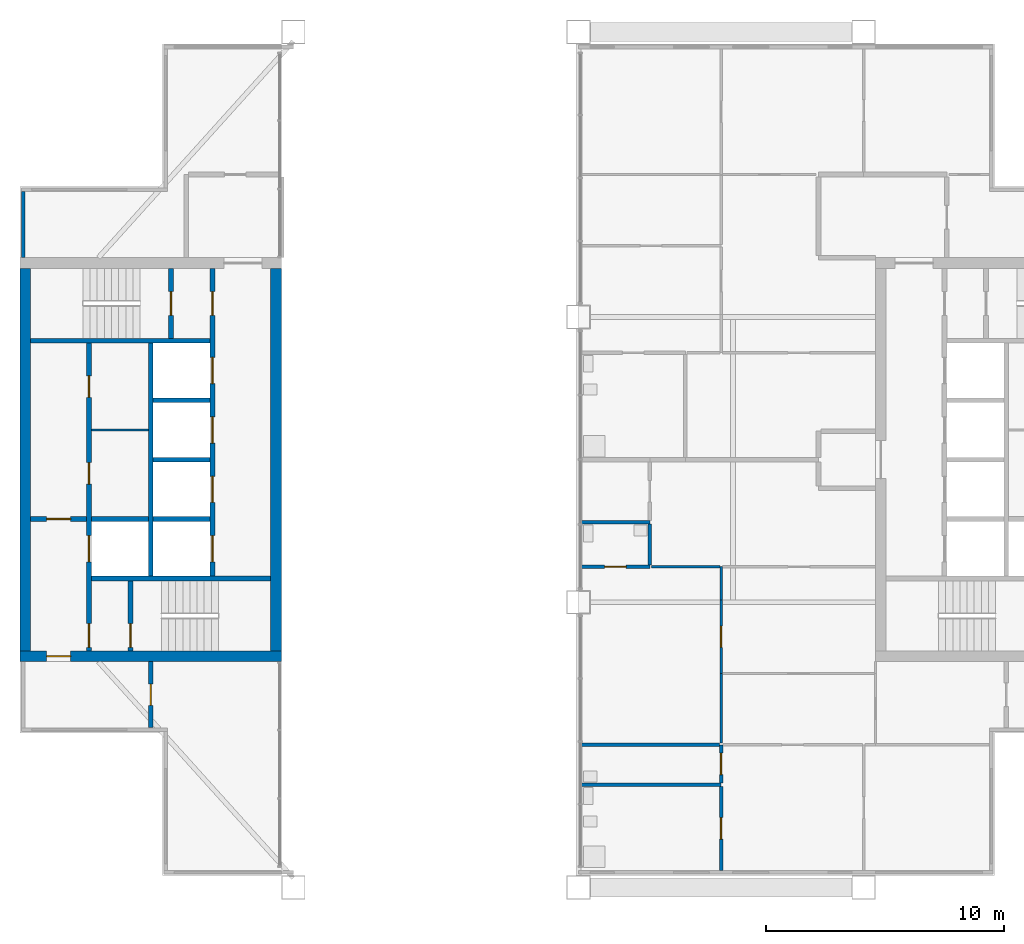
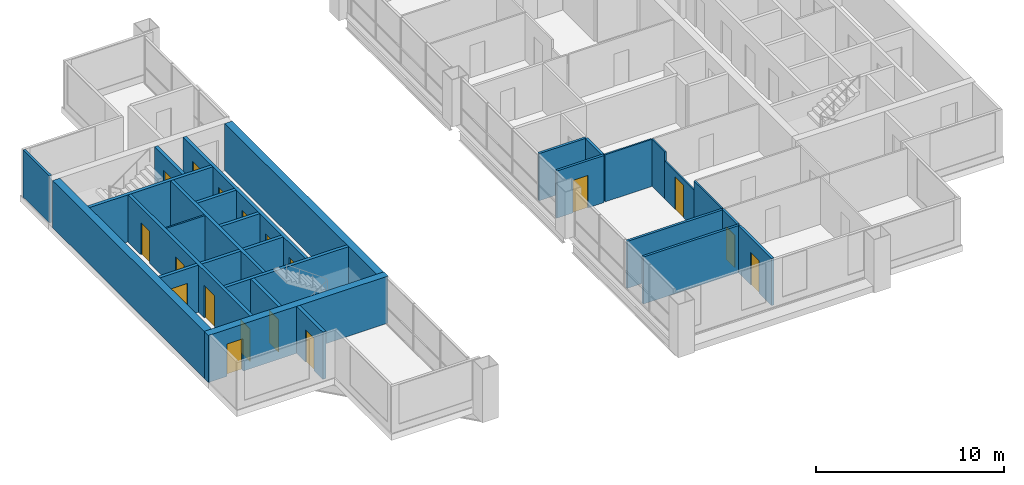
# One storey, part 7 of 13: 29 walls, 18 doors, 18 openings.
"""IFC4 building model written with IfcOpenShell, lengths in metres."""

from ifc_helpers import new_model, si_unit, direction, frame, frame_2d, origin, place, context, subcontext, project, spatial, rectangle, extrude, material, layer, layer_set, type_object, element, fill, save


model = new_model("IFC4")

# Units and contexts
model_context = context("Model", 3, precision=1e-05, world=origin(), true_north=direction((0.0, 1.0)))
body_context = subcontext(model_context, "Body", "Model", "MODEL_VIEW")
ifc_project = project(units=[si_unit("LENGTHUNIT", "METRE"), si_unit("AREAUNIT", "SQUARE_METRE"), si_unit("VOLUMEUNIT", "CUBIC_METRE"), si_unit("PLANEANGLEUNIT", "RADIAN"), si_unit("MASSUNIT", "GRAM", prefix="KILO")], contexts=[model_context])

# Site, building, storey
site_placement = place(None, origin())
site = spatial("IfcSite", under=ifc_project, at=site_placement, CompositionType="ELEMENT")
building_placement = place(site_placement, origin())
building = spatial("IfcBuilding", under=site, at=building_placement, Name="Kitamizu Gate Tower and Museum", CompositionType="ELEMENT")
storey_placement = place(building_placement, frame((0.0, 0.0, 252.449951171875)))
storey = spatial("IfcBuildingStorey", under=building, at=storey_placement, Name="L68", CompositionType="ELEMENT", Elevation=252.449951171875)

# Wall, opening, door
ifc_material_1 = material(Name="Concrete Fc42", Category="concrete")
ifc_layer_1 = layer(ifc_material_1, 0.449951171875)
ifc_layer_set_1 = layer_set([ifc_layer_1], Name="Concrete Fc42")
wall_type_1 = type_object("IfcWallType", Name="Core wall 450 EI 90", PredefinedType="SHEAR", material=ifc_layer_set_1)
wall_1_placement = place(storey_placement, frame((12.5, 21.72509765625, 0.0), z_axis=(0.0, 0.0, 1.0), x_axis=(1.0, 0.0, 0.0)))
wall_1 = element("IfcWall", 1, at=wall_1_placement, inside=storey, type_object=wall_type_1, Name="Core wall WS", PredefinedType="SHEAR", context=body_context, shape_type="SweptSolid", body=[
    extrude(rectangle(XDim=11.0, YDim=0.449951171875, at=frame_2d((5.5, 0.0))), origin(), (0.0, 0.0, 1.0), 3.050048828125),
])
opening_1_placement = place(wall_1_placement, frame((1.125, 0.0, 0.0)))
opening_1 = element("IfcOpeningElement", 2, at=opening_1_placement, cuts=wall_1, Name="Opening L68-028", PredefinedType="OPENING", context=body_context, shape_type="SweptSolid", body=[
    extrude(rectangle(XDim=1.0, YDim=2.10009765625, at=frame_2d((0.5, 1.050048828125))), frame((0.0, 0.23486328125, 0.0), z_axis=(0.0, -1.0, 0.0), x_axis=(1.0, 0.0, 0.0)), (0.0, 0.0, 1.0), 0.469970703125),
])
ifc_material_2 = material(Name="Hollow metal door set")
door_type_1 = type_object("IfcDoorType", Name="Fire door 1000", OperationType="NOTDEFINED", PredefinedType="DOOR", material=ifc_material_2)
door_1_placement = place(opening_1_placement, origin())
door_1 = element("IfcDoor", 3, at=door_1_placement, inside=storey, type_object=door_type_1, Name="Fire-fighting lobby door L68-028", OperationType="SINGLE_SWING_RIGHT", OverallHeight=2.10009765625, OverallWidth=1.0, PredefinedType="DOOR", context=body_context, shape_type="SweptSolid", body=[
    extrude(rectangle(XDim=1.0, YDim=2.10009765625, at=frame_2d((0.5, 1.050048828125))), frame((0.0, 0.02490234375, 0.0), z_axis=(0.0, -1.0, 0.0), x_axis=(1.0, 0.0, 0.0)), (0.0, 0.0, 1.0), 0.050048828125),
])
fill(opening_1, door_1)

# Walls
for number, where, z_axis, x_axis, name in (
    (4, (12.72509765625, 21.949951171875, 0.0), (0.0, 0.0, 1.0), (0.0, 1.0, 0.0), "Core wall WOUT"),
    (5, (23.27490234375, 21.949951171875, 0.0), (0.0, 0.0, 1.0), (0.0, 1.0, 0.0), "Core wall WARC"),
):
    element("IfcWall", number, at=place(storey_placement, frame(where, z_axis=z_axis, x_axis=x_axis)), inside=storey, type_object=wall_type_1, Name=name, PredefinedType="SHEAR", context=body_context, shape_type="SweptSolid", body=[
        extrude(rectangle(XDim=16.10009765625, YDim=0.449951171875, at=frame_2d((8.050048828125, 0.0))), origin(), (0.0, 0.0, 1.0), 3.050048828125),
    ])
ifc_material_3 = material(Name="Gypsum board on galvanised stud")
ifc_layer_2 = layer(ifc_material_3, 0.10009765625)
ifc_layer_set_2 = layer_set([ifc_layer_2], Name="Gypsum board on galvanised stud")
wall_type_2 = type_object("IfcWallType", Name="Partition 100", PredefinedType="PARTITIONING", material=ifc_layer_set_2)
wall_2_placement = place(storey_placement, frame((15.5, 31.25, 0.0), z_axis=(0.0, 0.0, 1.0), x_axis=(1.0, 0.0, 0.0)))
element("IfcWall", 6, at=wall_2_placement, inside=storey, type_object=wall_type_2, Name="Partition WPF1", PredefinedType="PARTITIONING", context=body_context, shape_type="SweptSolid", body=[
    extrude(rectangle(XDim=2.39990234375, YDim=0.10009765625, at=frame_2d((1.199951171875, 0.0))), origin(), (0.0, 0.0, 1.0), 3.050048828125),
])
ifc_material_4 = material(Name="Gypsum board on galvanised stud")
ifc_layer_3 = layer(ifc_material_4, 0.10009765625)
ifc_layer_set_3 = layer_set([ifc_layer_3], Name="Gypsum board on galvanised stud")
wall_type_3 = type_object("IfcWallType", Name="Partition 100 NOT RATED", PredefinedType="PARTITIONING", material=ifc_layer_set_3)
wall_3_placement = place(storey_placement, frame((42.0, 18.074951171875, 0.0), z_axis=(0.0, 0.0, 1.0), x_axis=(0.0, 1.0, 0.0)))
element("IfcWall", 7, at=wall_3_placement, inside=storey, type_object=wall_type_3, Name="Partition L68-016", PredefinedType="PARTITIONING", context=body_context, shape_type="SweptSolid", body=[
    extrude(rectangle(XDim=2.925048828125, YDim=0.10009765625, at=frame_2d((1.46240234375, 0.0))), origin(), (0.0, 0.0, 1.0), 3.050048828125),
])

# Wall, opening, door
wall_4_placement = place(storey_placement, frame((42.0, 21.0, 0.0), z_axis=(0.0, 0.0, 1.0), x_axis=(0.0, 1.0, 0.0)))
wall_4 = element("IfcWall", 8, at=wall_4_placement, inside=storey, type_object=wall_type_3, Name="Partition L68-017", PredefinedType="PARTITIONING", context=body_context, shape_type="SweptSolid", body=[
    extrude(rectangle(XDim=3.10009765625, YDim=0.10009765625, at=frame_2d((1.550048828125, 0.0))), origin(), (0.0, 0.0, 1.0), 2.449951171875),
])
opening_2_placement = place(wall_4_placement, frame((1.10009765625, 0.0, 0.0)))
opening_2 = element("IfcOpeningElement", 9, at=opening_2_placement, cuts=wall_4, Name="Opening L68-008", PredefinedType="OPENING", context=body_context, shape_type="SweptSolid", body=[
    extrude(rectangle(XDim=0.89990234375, YDim=2.10009765625, at=frame_2d((0.449951171875, 1.050048828125))), frame((0.0, 0.06005859375, 0.0), z_axis=(0.0, -1.0, 0.0), x_axis=(1.0, 0.0, 0.0)), (0.0, 0.0, 1.0), 0.1201171875),
])
ifc_material_5 = material(Name="Timber door set", Category="wood")
door_type_2 = type_object("IfcDoorType", Name="Room door 900", OperationType="NOTDEFINED", PredefinedType="DOOR", material=ifc_material_5)
door_2_placement = place(opening_2_placement, frame((0.89990234375, 0.0, 0.0), x_axis=(-1.0, 0.0, 0.0)))
door_2 = element("IfcDoor", 10, at=door_2_placement, inside=storey, type_object=door_type_2, Name="Door L68-008", OperationType="SINGLE_SWING_LEFT", OverallHeight=2.10009765625, OverallWidth=0.89990234375, PredefinedType="DOOR", context=body_context, shape_type="SweptSolid", body=[
    extrude(rectangle(XDim=0.89990234375, YDim=2.10009765625, at=frame_2d((0.449951171875, 1.050048828125))), frame((0.0, 0.02490234375, 0.0), z_axis=(0.0, -1.0, 0.0), x_axis=(1.0, 0.0, 0.0)), (0.0, 0.0, 1.0), 0.050048828125),
])
fill(opening_2, door_2)

# Walls
wall_5_placement = place(storey_placement, frame((42.0, 24.10009765625, 0.0), z_axis=(0.0, 0.0, 1.0), x_axis=(0.0, 1.0, 0.0)))
element("IfcWall", 11, at=wall_5_placement, inside=storey, type_object=wall_type_3, Name="Partition L68-018", PredefinedType="PARTITIONING", context=body_context, shape_type="SweptSolid", body=[
    extrude(rectangle(XDim=1.39990234375, YDim=0.10009765625, at=frame_2d((0.699951171875, 0.0))), origin(), (0.0, 0.0, 1.0), 3.050048828125),
])
wall_6_placement = place(storey_placement, frame((41.949951171875, 25.5, 0.0), z_axis=(0.0, 0.0, 1.0), x_axis=(-1.0, 0.0, 0.0)))
element("IfcWall", 12, at=wall_6_placement, inside=storey, type_object=wall_type_3, Name="Partition L68-020", PredefinedType="PARTITIONING", context=body_context, shape_type="SweptSolid", body=[
    extrude(rectangle(XDim=2.875, YDim=0.10009765625, at=frame_2d((1.4375, 0.0))), origin(), (0.0, 0.0, 1.0), 3.050048828125),
])
ifc_material_6 = material(Name="Gypsum board on galvanised stud")
ifc_layer_4 = layer(ifc_material_6, 0.14990234375)
ifc_layer_set_4 = layer_set([ifc_layer_4], Name="Gypsum board on galvanised stud")
wall_type_4 = type_object("IfcWallType", Name="Partition 150", PredefinedType="PARTITIONING", material=ifc_layer_set_4)
wall_7_placement = place(storey_placement, frame((42.0, 16.320068359375, 0.0), z_axis=(0.0, 0.0, 1.0), x_axis=(-1.0, 0.0, 0.0)))
element("IfcWall", 13, at=wall_7_placement, inside=storey, type_object=wall_type_4, Name="Partition L68-005", PredefinedType="PARTITIONING", context=body_context, shape_type="SweptSolid", body=[
    extrude(rectangle(XDim=5.89990234375, YDim=0.14990234375, at=frame_2d((2.949951171875, 0.0))), origin(), (0.0, 0.0, 1.0), 3.050048828125),
])

# Wall, opening, door
wall_8_placement = place(storey_placement, frame((42.0, 12.719970703125, 0.0), z_axis=(0.0, 0.0, 1.0), x_axis=(0.0, 1.0, 0.0)))
wall_8 = element("IfcWall", 14, at=wall_8_placement, inside=storey, type_object=wall_type_4, Name="Partition L68-006", PredefinedType="PARTITIONING", context=body_context, shape_type="SweptSolid", body=[
    extrude(rectangle(XDim=3.525146484375, YDim=0.14990234375, at=frame_2d((1.7626953125, 0.0))), origin(), (0.0, 0.0, 1.0), 3.050048828125),
])
opening_3_placement = place(wall_8_placement, frame((1.3125, 0.0, 0.0)))
opening_3 = element("IfcOpeningElement", 15, at=opening_3_placement, cuts=wall_8, Name="Opening L68-005", PredefinedType="OPENING", context=body_context, shape_type="SweptSolid", body=[
    extrude(rectangle(XDim=0.89990234375, YDim=2.10009765625, at=frame_2d((0.449951171875, 1.050048828125))), frame((0.0, 0.0849609375, 0.0), z_axis=(0.0, -1.0, 0.0), x_axis=(1.0, 0.0, 0.0)), (0.0, 0.0, 1.0), 0.169921875),
])
ifc_material_7 = material(Name="Timber door set", Category="wood")
door_type_3 = type_object("IfcDoorType", Name="Bathroom door 900", OperationType="NOTDEFINED", PredefinedType="DOOR", material=ifc_material_7)
door_3_placement = place(opening_3_placement, origin())
door_3 = element("IfcDoor", 16, at=door_3_placement, inside=storey, type_object=door_type_3, Name="Bathroom door L68-005", OperationType="SINGLE_SWING_RIGHT", OverallHeight=2.10009765625, OverallWidth=0.89990234375, PredefinedType="DOOR", context=body_context, shape_type="SweptSolid", body=[
    extrude(rectangle(XDim=0.89990234375, YDim=2.10009765625, at=frame_2d((0.449951171875, 1.050048828125))), frame((0.0, 0.02490234375, 0.0), z_axis=(0.0, -1.0, 0.0), x_axis=(1.0, 0.0, 0.0)), (0.0, 0.0, 1.0), 0.050048828125),
])
fill(opening_3, door_3)

wall_9_placement = place(storey_placement, frame((42.0, 16.39501953125, 0.0), z_axis=(0.0, 0.0, 1.0), x_axis=(0.0, 1.0, 0.0)))
wall_9 = element("IfcWall", 17, at=wall_9_placement, inside=storey, type_object=wall_type_4, Name="Partition L68-007", PredefinedType="PARTITIONING", context=body_context, shape_type="SweptSolid", body=[
    extrude(rectangle(XDim=1.60498046875, YDim=0.14990234375, at=frame_2d((0.802490234375, 0.0))), origin(), (0.0, 0.0, 1.0), 3.050048828125),
])
opening_4_placement = place(wall_9_placement, frame((0.3525390625, 0.0, 0.0)))
opening_4 = element("IfcOpeningElement", 18, at=opening_4_placement, cuts=wall_9, Name="Opening L68-006", PredefinedType="OPENING", context=body_context, shape_type="SweptSolid", body=[
    extrude(rectangle(XDim=0.89990234375, YDim=2.10009765625, at=frame_2d((0.449951171875, 1.050048828125))), frame((0.0, 0.0849609375, 0.0), z_axis=(0.0, -1.0, 0.0), x_axis=(1.0, 0.0, 0.0)), (0.0, 0.0, 1.0), 0.169921875),
])
door_4_placement = place(opening_4_placement, origin())
door_4 = element("IfcDoor", 19, at=door_4_placement, inside=storey, type_object=door_type_3, Name="Bathroom door L68-006", OperationType="SINGLE_SWING_LEFT", OverallHeight=2.10009765625, OverallWidth=0.89990234375, PredefinedType="DOOR", context=body_context, shape_type="SweptSolid", body=[
    extrude(rectangle(XDim=0.89990234375, YDim=2.10009765625, at=frame_2d((0.449951171875, 1.050048828125))), frame((0.0, 0.02490234375, 0.0), z_axis=(0.0, -1.0, 0.0), x_axis=(1.0, 0.0, 0.0)), (0.0, 0.0, 1.0), 0.050048828125),
])
fill(opening_4, door_4)

# Wall
wall_10_placement = place(storey_placement, frame((41.925048828125, 18.0, 0.0), z_axis=(0.0, 0.0, 1.0), x_axis=(-1.0, 0.0, 0.0)))
element("IfcWall", 20, at=wall_10_placement, inside=storey, type_object=wall_type_4, Name="Partition L68-008", PredefinedType="PARTITIONING", context=body_context, shape_type="SweptSolid", body=[
    extrude(rectangle(XDim=5.824951171875, YDim=0.14990234375, at=frame_2d((2.91259765625, 0.0))), origin(), (0.0, 0.0, 1.0), 3.050048828125),
])

# Wall, opening, door
wall_11_placement = place(storey_placement, frame((39.0, 25.5, 0.0), z_axis=(0.0, 0.0, 1.0), x_axis=(-1.0, 0.0, 0.0)))
wall_11 = element("IfcWall", 21, at=wall_11_placement, inside=storey, type_object=wall_type_4, Name="Partition L68-019", PredefinedType="PARTITIONING", context=body_context, shape_type="SweptSolid", body=[
    extrude(rectangle(XDim=2.89990234375, YDim=0.14990234375, at=frame_2d((1.449951171875, 0.0))), origin(), (0.0, 0.0, 1.0), 3.050048828125),
])
opening_5_placement = place(wall_11_placement, frame((1.0, 0.0, 0.0)))
opening_5 = element("IfcOpeningElement", 22, at=opening_5_placement, cuts=wall_11, Name="Opening L68-010", PredefinedType="OPENING", context=body_context, shape_type="SweptSolid", body=[
    extrude(rectangle(XDim=0.89990234375, YDim=2.10009765625, at=frame_2d((0.449951171875, 1.050048828125))), frame((0.0, 0.0849609375, 0.0), z_axis=(0.0, -1.0, 0.0), x_axis=(1.0, 0.0, 0.0)), (0.0, 0.0, 1.0), 0.169921875),
])
door_5_placement = place(opening_5_placement, frame((0.89990234375, 0.0, 0.0), x_axis=(-1.0, 0.0, 0.0)))
door_5 = element("IfcDoor", 23, at=door_5_placement, inside=storey, type_object=door_type_3, Name="Bathroom door L68-010", OperationType="SINGLE_SWING_LEFT", OverallHeight=2.10009765625, OverallWidth=0.89990234375, PredefinedType="DOOR", context=body_context, shape_type="SweptSolid", body=[
    extrude(rectangle(XDim=0.89990234375, YDim=2.10009765625, at=frame_2d((0.449951171875, 1.050048828125))), frame((0.0, 0.02490234375, 0.0), z_axis=(0.0, -1.0, 0.0), x_axis=(1.0, 0.0, 0.0)), (0.0, 0.0, 1.0), 0.050048828125),
])
fill(opening_5, door_5)

# Walls
wall_12_placement = place(storey_placement, frame((39.0, 27.362060546875, 0.0), z_axis=(0.0, 0.0, 1.0), x_axis=(-1.0, 0.0, 0.0)))
element("IfcWall", 24, at=wall_12_placement, inside=storey, type_object=wall_type_4, Name="Partition L68-023", PredefinedType="PARTITIONING", context=body_context, shape_type="SweptSolid", body=[
    extrude(rectangle(XDim=2.89990234375, YDim=0.14990234375, at=frame_2d((1.449951171875, 0.0))), origin(), (0.0, 0.0, 1.0), 3.050048828125),
])
wall_13_placement = place(storey_placement, frame((39.0, 25.574951171875, 0.0), z_axis=(0.0, 0.0, 1.0), x_axis=(0.0, 1.0, 0.0)))
element("IfcWall", 25, at=wall_13_placement, inside=storey, type_object=wall_type_4, Name="Partition L68-024", PredefinedType="PARTITIONING", context=body_context, shape_type="SweptSolid", body=[
    extrude(rectangle(XDim=1.712158203125, YDim=0.14990234375, at=frame_2d((0.85595703125, 0.0))), origin(), (0.0, 0.0, 1.0), 3.050048828125),
])

# Wall, opening, door
ifc_material_8 = material(Name="Gypsum board on galvanised stud")
ifc_layer_5 = layer(ifc_material_8, 0.199951171875)
ifc_layer_set_5 = layer_set([ifc_layer_5], Name="Gypsum board on galvanised stud")
wall_type_5 = type_object("IfcWallType", Name="Partition 200", PredefinedType="PARTITIONING", material=ifc_layer_set_5)
wall_14_placement = place(storey_placement, frame((18.0, 21.5, 0.0), z_axis=(0.0, 0.0, 1.0), x_axis=(0.0, -1.0, 0.0)))
wall_14 = element("IfcWall", 26, at=wall_14_placement, inside=storey, type_object=wall_type_5, Name="Partition L68-001", PredefinedType="PARTITIONING", context=body_context, shape_type="SweptSolid", body=[
    extrude(rectangle(XDim=2.780029296875, YDim=0.199951171875, at=frame_2d((1.39013671875, 0.0))), origin(), (0.0, 0.0, 1.0), 3.050048828125),
])
opening_6_placement = place(wall_14_placement, frame((0.93994140625, 0.0, 0.0)))
opening_6 = element("IfcOpeningElement", 27, at=opening_6_placement, cuts=wall_14, Name="Opening L68-021", PredefinedType="OPENING", context=body_context, shape_type="SweptSolid", body=[
    extrude(rectangle(XDim=0.89990234375, YDim=2.10009765625, at=frame_2d((0.449951171875, 1.050048828125))), frame((0.0, 0.10986328125, 0.0), z_axis=(0.0, -1.0, 0.0), x_axis=(1.0, 0.0, 0.0)), (0.0, 0.0, 1.0), 0.219970703125),
])
door_6_placement = place(opening_6_placement, origin())
door_6 = element("IfcDoor", 28, at=door_6_placement, inside=storey, type_object=door_type_2, Name="Door L68-021", OperationType="SINGLE_SWING_LEFT", OverallHeight=2.10009765625, OverallWidth=0.89990234375, PredefinedType="DOOR", context=body_context, shape_type="SweptSolid", body=[
    extrude(rectangle(XDim=0.89990234375, YDim=2.10009765625, at=frame_2d((0.449951171875, 1.050048828125))), frame((0.0, 0.02490234375, 0.0), z_axis=(0.0, -1.0, 0.0), x_axis=(1.0, 0.0, 0.0)), (0.0, 0.0, 1.0), 0.050048828125),
])
fill(opening_6, door_6)

# Wall, openings, doors
ifc_material_9 = material(Name="Concrete Fc42", Category="concrete")
ifc_layer_6 = layer(ifc_material_9, 0.199951171875)
ifc_layer_set_6 = layer_set([ifc_layer_6], Name="Concrete Fc42")
wall_type_6 = type_object("IfcWallType", Name="Shaft wall 200", PredefinedType="SOLIDWALL", material=ifc_layer_set_6)
wall_15_placement = place(storey_placement, frame((15.39990234375, 21.949951171875, 0.0), z_axis=(0.0, 0.0, 1.0), x_axis=(0.0, 1.0, 0.0)))
wall_15 = element("IfcWall", 29, at=wall_15_placement, inside=storey, type_object=wall_type_6, Name="Shaft wall WWEST", PredefinedType="SOLIDWALL", context=body_context, shape_type="SweptSolid", body=[
    extrude(rectangle(XDim=12.949951171875, YDim=0.199951171875, at=frame_2d((6.47509765625, 0.0))), origin(), (0.0, 0.0, 1.0), 3.050048828125),
])
opening_7_placement = place(wall_15_placement, frame((3.75, 0.0, 0.0)))
opening_7 = element("IfcOpeningElement", 30, at=opening_7_placement, cuts=wall_15, Name="Opening LD", PredefinedType="OPENING", context=body_context, shape_type="SweptSolid", body=[
    extrude(rectangle(XDim=1.10009765625, YDim=2.10009765625, at=frame_2d((0.550048828125, 1.050048828125))), frame((0.0, 0.10986328125, 0.0), z_axis=(0.0, -1.0, 0.0), x_axis=(1.0, 0.0, 0.0)), (0.0, 0.0, 1.0), 0.219970703125),
])
opening_8_placement = place(wall_15_placement, frame((0.14990234375, 0.0, 0.0)))
opening_8 = element("IfcOpeningElement", 31, at=opening_8_placement, cuts=wall_15, Name="Opening L68-024", PredefinedType="OPENING", context=body_context, shape_type="SweptSolid", body=[
    extrude(rectangle(XDim=1.0, YDim=2.10009765625, at=frame_2d((0.5, 1.050048828125))), frame((0.0, 0.10986328125, 0.0), z_axis=(0.0, -1.0, 0.0), x_axis=(1.0, 0.0, 0.0)), (0.0, 0.0, 1.0), 0.219970703125),
])
opening_9_placement = place(wall_15_placement, frame((7.02490234375, 0.0, 0.0)))
opening_9 = element("IfcOpeningElement", 32, at=opening_9_placement, cuts=wall_15, Name="Opening L68-030", PredefinedType="OPENING", context=body_context, shape_type="SweptSolid", body=[
    extrude(rectangle(XDim=0.89990234375, YDim=2.10009765625, at=frame_2d((0.449951171875, 1.050048828125))), frame((0.0, 0.10986328125, 0.0), z_axis=(0.0, -1.0, 0.0), x_axis=(1.0, 0.0, 0.0)), (0.0, 0.0, 1.0), 0.219970703125),
])
opening_10_placement = place(wall_15_placement, frame((10.675048828125, 0.0, 0.0)))
opening_10 = element("IfcOpeningElement", 33, at=opening_10_placement, cuts=wall_15, Name="Opening L68-031", PredefinedType="OPENING", context=body_context, shape_type="SweptSolid", body=[
    extrude(rectangle(XDim=0.89990234375, YDim=2.10009765625, at=frame_2d((0.449951171875, 1.050048828125))), frame((0.0, 0.10986328125, 0.0), z_axis=(0.0, -1.0, 0.0), x_axis=(1.0, 0.0, 0.0)), (0.0, 0.0, 1.0), 0.219970703125),
])
door_7_placement = place(opening_8_placement, frame((1.0, 0.0, 0.0), x_axis=(-1.0, 0.0, 0.0)))
door_7 = element("IfcDoor", 34, at=door_7_placement, inside=storey, type_object=door_type_1, Name="Stair lobby door L68-024", OperationType="SINGLE_SWING_LEFT", OverallHeight=2.10009765625, OverallWidth=1.0, PredefinedType="DOOR", context=body_context, shape_type="SweptSolid", body=[
    extrude(rectangle(XDim=1.0, YDim=2.10009765625, at=frame_2d((0.5, 1.050048828125))), frame((0.0, 0.02490234375, 0.0), z_axis=(0.0, -1.0, 0.0), x_axis=(1.0, 0.0, 0.0)), (0.0, 0.0, 1.0), 0.050048828125),
])
fill(opening_8, door_7)
ifc_material_10 = material(Name="Hollow metal door set")
door_type_4 = type_object("IfcDoorType", Name="Landing door 1100", OperationType="SLIDING_TO_LEFT", PredefinedType="DOOR", material=ifc_material_10)
door_8_placement = place(opening_7_placement, origin())
door_8 = element("IfcDoor", 35, at=door_8_placement, inside=storey, type_object=door_type_4, Name="Landing door WFF1", OperationType="SLIDING_TO_LEFT", OverallHeight=2.10009765625, OverallWidth=1.10009765625, PredefinedType="DOOR", context=body_context, shape_type="SweptSolid", body=[
    extrude(rectangle(XDim=1.10009765625, YDim=2.10009765625, at=frame_2d((0.550048828125, 1.050048828125))), frame((0.0, 0.02490234375, 0.0), z_axis=(0.0, -1.0, 0.0), x_axis=(1.0, 0.0, 0.0)), (0.0, 0.0, 1.0), 0.050048828125),
])
fill(opening_7, door_8)
ifc_material_11 = material(Name="Timber door set", Category="wood")
door_type_5 = type_object("IfcDoorType", Name="Service door 900", OperationType="NOTDEFINED", PredefinedType="DOOR", material=ifc_material_11)
door_9_placement = place(opening_9_placement, frame((0.89990234375, 0.0, 0.0), x_axis=(-1.0, 0.0, 0.0)))
door_9 = element("IfcDoor", 36, at=door_9_placement, inside=storey, type_object=door_type_5, Name="Service door L68-030", OperationType="SINGLE_SWING_RIGHT", OverallHeight=2.10009765625, OverallWidth=0.89990234375, PredefinedType="DOOR", context=body_context, shape_type="SweptSolid", body=[
    extrude(rectangle(XDim=0.89990234375, YDim=2.10009765625, at=frame_2d((0.449951171875, 1.050048828125))), frame((0.0, 0.02490234375, 0.0), z_axis=(0.0, -1.0, 0.0), x_axis=(1.0, 0.0, 0.0)), (0.0, 0.0, 1.0), 0.050048828125),
])
fill(opening_9, door_9)
door_10_placement = place(opening_10_placement, frame((0.89990234375, 0.0, 0.0), x_axis=(-1.0, 0.0, 0.0)))
door_10 = element("IfcDoor", 37, at=door_10_placement, inside=storey, type_object=door_type_5, Name="Service door L68-031", OperationType="SINGLE_SWING_LEFT", OverallHeight=2.10009765625, OverallWidth=0.89990234375, PredefinedType="DOOR", context=body_context, shape_type="SweptSolid", body=[
    extrude(rectangle(XDim=0.89990234375, YDim=2.10009765625, at=frame_2d((0.449951171875, 1.050048828125))), frame((0.0, 0.02490234375, 0.0), z_axis=(0.0, -1.0, 0.0), x_axis=(1.0, 0.0, 0.0)), (0.0, 0.0, 1.0), 0.050048828125),
])
fill(opening_10, door_10)

wall_16_placement = place(storey_placement, frame((20.60009765625, 25.10009765625, 0.0), z_axis=(0.0, 0.0, 1.0), x_axis=(0.0, 1.0, 0.0)))
wall_16 = element("IfcWall", 38, at=wall_16_placement, inside=storey, type_object=wall_type_6, Name="Shaft wall WEAST", PredefinedType="SOLIDWALL", context=body_context, shape_type="SweptSolid", body=[
    extrude(rectangle(XDim=12.949951171875, YDim=0.199951171875, at=frame_2d((6.47509765625, 0.0))), origin(), (0.0, 0.0, 1.0), 3.050048828125),
])
opening_11_placement = place(wall_16_placement, frame((0.60009765625, 0.0, 0.0)))
opening_11 = element("IfcOpeningElement", 39, at=opening_11_placement, cuts=wall_16, Name="Opening LD", PredefinedType="OPENING", context=body_context, shape_type="SweptSolid", body=[
    extrude(rectangle(XDim=1.10009765625, YDim=2.10009765625, at=frame_2d((0.550048828125, 1.050048828125))), frame((0.0, 0.10986328125, 0.0), z_axis=(0.0, -1.0, 0.0), x_axis=(1.0, 0.0, 0.0)), (0.0, 0.0, 1.0), 0.219970703125),
])
opening_12_placement = place(wall_16_placement, frame((3.10009765625, 0.0, 0.0)))
opening_12 = element("IfcOpeningElement", 40, at=opening_12_placement, cuts=wall_16, Name="Opening LD", PredefinedType="OPENING", context=body_context, shape_type="SweptSolid", body=[
    extrude(rectangle(XDim=1.10009765625, YDim=2.10009765625, at=frame_2d((0.550048828125, 1.050048828125))), frame((0.0, 0.10986328125, 0.0), z_axis=(0.0, -1.0, 0.0), x_axis=(1.0, 0.0, 0.0)), (0.0, 0.0, 1.0), 0.219970703125),
])
opening_13_placement = place(wall_16_placement, frame((5.60009765625, 0.0, 0.0)))
opening_13 = element("IfcOpeningElement", 41, at=opening_13_placement, cuts=wall_16, Name="Opening LD", PredefinedType="OPENING", context=body_context, shape_type="SweptSolid", body=[
    extrude(rectangle(XDim=1.10009765625, YDim=2.10009765625, at=frame_2d((0.550048828125, 1.050048828125))), frame((0.0, 0.10986328125, 0.0), z_axis=(0.0, -1.0, 0.0), x_axis=(1.0, 0.0, 0.0)), (0.0, 0.0, 1.0), 0.219970703125),
])
opening_14_placement = place(wall_16_placement, frame((8.10009765625, 0.0, 0.0)))
opening_14 = element("IfcOpeningElement", 42, at=opening_14_placement, cuts=wall_16, Name="Opening LD", PredefinedType="OPENING", context=body_context, shape_type="SweptSolid", body=[
    extrude(rectangle(XDim=1.10009765625, YDim=2.10009765625, at=frame_2d((0.550048828125, 1.050048828125))), frame((0.0, 0.10986328125, 0.0), z_axis=(0.0, -1.0, 0.0), x_axis=(1.0, 0.0, 0.0)), (0.0, 0.0, 1.0), 0.219970703125),
])
opening_15_placement = place(wall_16_placement, frame((10.97509765625, 0.0, 0.0)))
opening_15 = element("IfcOpeningElement", 43, at=opening_15_placement, cuts=wall_16, Name="Opening L68-025", PredefinedType="OPENING", context=body_context, shape_type="SweptSolid", body=[
    extrude(rectangle(XDim=1.0, YDim=2.10009765625, at=frame_2d((0.5, 1.050048828125))), frame((0.0, 0.10986328125, 0.0), z_axis=(0.0, -1.0, 0.0), x_axis=(1.0, 0.0, 0.0)), (0.0, 0.0, 1.0), 0.219970703125),
])
door_11_placement = place(opening_15_placement, origin())
door_11 = element("IfcDoor", 44, at=door_11_placement, inside=storey, type_object=door_type_1, Name="Stair lobby door L68-025", OperationType="SINGLE_SWING_LEFT", OverallHeight=2.10009765625, OverallWidth=1.0, PredefinedType="DOOR", context=body_context, shape_type="SweptSolid", body=[
    extrude(rectangle(XDim=1.0, YDim=2.10009765625, at=frame_2d((0.5, 1.050048828125))), frame((0.0, 0.02490234375, 0.0), z_axis=(0.0, -1.0, 0.0), x_axis=(1.0, 0.0, 0.0)), (0.0, 0.0, 1.0), 0.050048828125),
])
fill(opening_15, door_11)
door_12_placement = place(opening_11_placement, origin())
door_12 = element("IfcDoor", 45, at=door_12_placement, inside=storey, type_object=door_type_4, Name="Landing door WSV1", OperationType="SLIDING_TO_LEFT", OverallHeight=2.10009765625, OverallWidth=1.10009765625, PredefinedType="DOOR", context=body_context, shape_type="SweptSolid", body=[
    extrude(rectangle(XDim=1.10009765625, YDim=2.10009765625, at=frame_2d((0.550048828125, 1.050048828125))), frame((0.0, 0.02490234375, 0.0), z_axis=(0.0, -1.0, 0.0), x_axis=(1.0, 0.0, 0.0)), (0.0, 0.0, 1.0), 0.050048828125),
])
fill(opening_11, door_12)
door_13_placement = place(opening_12_placement, origin())
door_13 = element("IfcDoor", 46, at=door_13_placement, inside=storey, type_object=door_type_4, Name="Landing door WH1", OperationType="SLIDING_TO_LEFT", OverallHeight=2.10009765625, OverallWidth=1.10009765625, PredefinedType="DOOR", context=body_context, shape_type="SweptSolid", body=[
    extrude(rectangle(XDim=1.10009765625, YDim=2.10009765625, at=frame_2d((0.550048828125, 1.050048828125))), frame((0.0, 0.02490234375, 0.0), z_axis=(0.0, -1.0, 0.0), x_axis=(1.0, 0.0, 0.0)), (0.0, 0.0, 1.0), 0.050048828125),
])
fill(opening_12, door_13)
door_14_placement = place(opening_13_placement, origin())
door_14 = element("IfcDoor", 47, at=door_14_placement, inside=storey, type_object=door_type_4, Name="Landing door WH2", OperationType="SLIDING_TO_LEFT", OverallHeight=2.10009765625, OverallWidth=1.10009765625, PredefinedType="DOOR", context=body_context, shape_type="SweptSolid", body=[
    extrude(rectangle(XDim=1.10009765625, YDim=2.10009765625, at=frame_2d((0.550048828125, 1.050048828125))), frame((0.0, 0.02490234375, 0.0), z_axis=(0.0, -1.0, 0.0), x_axis=(1.0, 0.0, 0.0)), (0.0, 0.0, 1.0), 0.050048828125),
])
fill(opening_13, door_14)
door_15_placement = place(opening_14_placement, origin())
door_15 = element("IfcDoor", 48, at=door_15_placement, inside=storey, type_object=door_type_4, Name="Landing door WH3", OperationType="SLIDING_TO_LEFT", OverallHeight=2.10009765625, OverallWidth=1.10009765625, PredefinedType="DOOR", context=body_context, shape_type="SweptSolid", body=[
    extrude(rectangle(XDim=1.10009765625, YDim=2.10009765625, at=frame_2d((0.550048828125, 1.050048828125))), frame((0.0, 0.02490234375, 0.0), z_axis=(0.0, -1.0, 0.0), x_axis=(1.0, 0.0, 0.0)), (0.0, 0.0, 1.0), 0.050048828125),
])
fill(opening_14, door_15)

# Walls
wall_17_placement = place(storey_placement, frame((18.0, 25.10009765625, 0.0), z_axis=(0.0, 0.0, 1.0), x_axis=(0.0, 1.0, 0.0)))
element("IfcWall", 49, at=wall_17_placement, inside=storey, type_object=wall_type_6, Name="Shaft wall WMID", PredefinedType="SOLIDWALL", context=body_context, shape_type="SweptSolid", body=[
    extrude(rectangle(XDim=9.7998046875, YDim=0.199951171875, at=frame_2d((4.89990234375, 0.0))), origin(), (0.0, 0.0, 1.0), 3.050048828125),
])
for number, where, z_axis, x_axis, name in (
    (50, (15.5, 25.0, 0.0), (0.0, 0.0, 1.0), (1.0, 0.0, 0.0), "Shaft wall WSB"),
    (51, (12.949951171875, 35.0, 0.0), (0.0, 0.0, 1.0), (1.0, 0.0, 0.0), "Shaft wall WNB"),
):
    element("IfcWall", number, at=place(storey_placement, frame(where, z_axis=z_axis, x_axis=x_axis)), inside=storey, type_object=wall_type_6, Name=name, PredefinedType="SOLIDWALL", context=body_context, shape_type="SweptSolid", body=[
        extrude(rectangle(XDim=7.550048828125, YDim=0.199951171875, at=frame_2d((3.77490234375, 0.0))), origin(), (0.0, 0.0, 1.0), 3.050048828125),
    ])

# Wall, opening, door
wall_18_placement = place(storey_placement, frame((12.949951171875, 27.5, 0.0), z_axis=(0.0, 0.0, 1.0), x_axis=(1.0, 0.0, 0.0)))
wall_18 = element("IfcWall", 52, at=wall_18_placement, inside=storey, type_object=wall_type_6, Name="Shaft wall WFFN", PredefinedType="SOLIDWALL", context=body_context, shape_type="SweptSolid", body=[
    extrude(rectangle(XDim=2.35009765625, YDim=0.199951171875, at=frame_2d((1.175048828125, 0.0))), origin(), (0.0, 0.0, 1.0), 3.050048828125),
])
opening_16_placement = place(wall_18_placement, frame((0.675048828125, 0.0, 0.0)))
opening_16 = element("IfcOpeningElement", 53, at=opening_16_placement, cuts=wall_18, Name="Opening L68-027", PredefinedType="OPENING", context=body_context, shape_type="SweptSolid", body=[
    extrude(rectangle(XDim=1.0, YDim=2.10009765625, at=frame_2d((0.5, 1.050048828125))), frame((0.0, 0.10986328125, 0.0), z_axis=(0.0, -1.0, 0.0), x_axis=(1.0, 0.0, 0.0)), (0.0, 0.0, 1.0), 0.219970703125),
])
door_16_placement = place(opening_16_placement, frame((1.0, 0.0, 0.0), x_axis=(-1.0, 0.0, 0.0)))
door_16 = element("IfcDoor", 54, at=door_16_placement, inside=storey, type_object=door_type_1, Name="Fire-fighting lobby door L68-027", OperationType="SINGLE_SWING_RIGHT", OverallHeight=2.10009765625, OverallWidth=1.0, PredefinedType="DOOR", context=body_context, shape_type="SweptSolid", body=[
    extrude(rectangle(XDim=1.0, YDim=2.10009765625, at=frame_2d((0.5, 1.050048828125))), frame((0.0, 0.02490234375, 0.0), z_axis=(0.0, -1.0, 0.0), x_axis=(1.0, 0.0, 0.0)), (0.0, 0.0, 1.0), 0.050048828125),
])
fill(opening_16, door_16)

wall_19_placement = place(storey_placement, frame((17.14990234375, 21.949951171875, 0.0), z_axis=(0.0, 0.0, 1.0), x_axis=(0.0, 1.0, 0.0)))
wall_19 = element("IfcWall", 55, at=wall_19_placement, inside=storey, type_object=wall_type_6, Name="Shaft wall WSZ", PredefinedType="SOLIDWALL", context=body_context, shape_type="SweptSolid", body=[
    extrude(rectangle(XDim=2.949951171875, YDim=0.199951171875, at=frame_2d((1.47509765625, 0.0))), origin(), (0.0, 0.0, 1.0), 3.050048828125),
])
opening_17_placement = place(wall_19_placement, frame((0.14990234375, 0.0, 0.0)))
opening_17 = element("IfcOpeningElement", 56, at=opening_17_placement, cuts=wall_19, Name="Opening L68-023", PredefinedType="OPENING", context=body_context, shape_type="SweptSolid", body=[
    extrude(rectangle(XDim=1.0, YDim=2.10009765625, at=frame_2d((0.5, 1.050048828125))), frame((0.0, 0.10986328125, 0.0), z_axis=(0.0, -1.0, 0.0), x_axis=(1.0, 0.0, 0.0)), (0.0, 0.0, 1.0), 0.219970703125),
])
door_17_placement = place(opening_17_placement, frame((1.0, 0.0, 0.0), x_axis=(-1.0, 0.0, 0.0)))
door_17 = element("IfcDoor", 57, at=door_17_placement, inside=storey, type_object=door_type_1, Name="Stair door L68-023", OperationType="SINGLE_SWING_LEFT", OverallHeight=2.10009765625, OverallWidth=1.0, PredefinedType="DOOR", context=body_context, shape_type="SweptSolid", body=[
    extrude(rectangle(XDim=1.0, YDim=2.10009765625, at=frame_2d((0.5, 1.050048828125))), frame((0.0, 0.02490234375, 0.0), z_axis=(0.0, -1.0, 0.0), x_axis=(1.0, 0.0, 0.0)), (0.0, 0.0, 1.0), 0.050048828125),
])
fill(opening_17, door_17)

wall_20_placement = place(storey_placement, frame((18.85009765625, 35.10009765625, 0.0), z_axis=(0.0, 0.0, 1.0), x_axis=(0.0, 1.0, 0.0)))
wall_20 = element("IfcWall", 58, at=wall_20_placement, inside=storey, type_object=wall_type_6, Name="Shaft wall WNZ", PredefinedType="SOLIDWALL", context=body_context, shape_type="SweptSolid", body=[
    extrude(rectangle(XDim=2.949951171875, YDim=0.199951171875, at=frame_2d((1.47509765625, 0.0))), origin(), (0.0, 0.0, 1.0), 3.050048828125),
])
opening_18_placement = place(wall_20_placement, frame((0.97509765625, 0.0, 0.0)))
opening_18 = element("IfcOpeningElement", 59, at=opening_18_placement, cuts=wall_20, Name="Opening L68-026", PredefinedType="OPENING", context=body_context, shape_type="SweptSolid", body=[
    extrude(rectangle(XDim=1.0, YDim=2.10009765625, at=frame_2d((0.5, 1.050048828125))), frame((0.0, 0.10986328125, 0.0), z_axis=(0.0, -1.0, 0.0), x_axis=(1.0, 0.0, 0.0)), (0.0, 0.0, 1.0), 0.219970703125),
])
door_18_placement = place(opening_18_placement, origin())
door_18 = element("IfcDoor", 60, at=door_18_placement, inside=storey, type_object=door_type_1, Name="Stair door L68-026", OperationType="SINGLE_SWING_RIGHT", OverallHeight=2.10009765625, OverallWidth=1.0, PredefinedType="DOOR", context=body_context, shape_type="SweptSolid", body=[
    extrude(rectangle(XDim=1.0, YDim=2.10009765625, at=frame_2d((0.5, 1.050048828125))), frame((0.0, 0.02490234375, 0.0), z_axis=(0.0, -1.0, 0.0), x_axis=(1.0, 0.0, 0.0)), (0.0, 0.0, 1.0), 0.050048828125),
])
fill(opening_18, door_18)

# Walls
for number, where, z_axis, x_axis, name in (
    (61, (15.5, 27.5, 0.0), (0.0, 0.0, 1.0), (1.0, 0.0, 0.0), "Shaft wall WDVW0"),
    (62, (18.10009765625, 27.5, 0.0), (0.0, 0.0, 1.0), (1.0, 0.0, 0.0), "Shaft wall WDVE0"),
    (63, (18.10009765625, 30.0, 0.0), (0.0, 0.0, 1.0), (1.0, 0.0, 0.0), "Shaft wall WDVE1"),
    (64, (18.10009765625, 32.5, 0.0), (0.0, 0.0, 1.0), (1.0, 0.0, 0.0), "Shaft wall WDVE2"),
):
    element("IfcWall", number, at=place(storey_placement, frame(where, z_axis=z_axis, x_axis=x_axis)), inside=storey, type_object=wall_type_6, Name=name, PredefinedType="SOLIDWALL", context=body_context, shape_type="SweptSolid", body=[
        extrude(rectangle(XDim=2.39990234375, YDim=0.199951171875, at=frame_2d((1.199951171875, 0.0))), origin(), (0.0, 0.0, 1.0), 3.050048828125),
    ])
ifc_material_12 = material(Name="Bronze anodised aluminium frame with insulated spandrel and tinted glass", Category="aluminium")
ifc_layer_7 = layer(ifc_material_12, 0.14990234375)
ifc_layer_set_7 = layer_set([ifc_layer_7], Name="Bronze anodised aluminium frame with insulated spandrel and tinted glass")
wall_type_7 = type_object("IfcWallType", Name="WINDOW WALL 150 BRONZE FRAME EI 30", PredefinedType="ELEMENTEDWALL", material=ifc_layer_set_7)
wall_21_placement = place(storey_placement, frame((12.635009765625, 38.5, 0.0), z_axis=(0.0, 0.0, 1.0), x_axis=(0.0, 1.0, 0.0)))
element("IfcWall", 65, at=wall_21_placement, inside=storey, type_object=wall_type_7, Name="Window wall west L68", PredefinedType="ELEMENTEDWALL", context=body_context, shape_type="SweptSolid", body=[
    extrude(rectangle(XDim=2.7900390625, YDim=0.14990234375, at=frame_2d((1.39501953125, 0.0))), origin(), (0.0, 0.0, 1.0), 3.050048828125),
])

save(model, "model.ifc")
